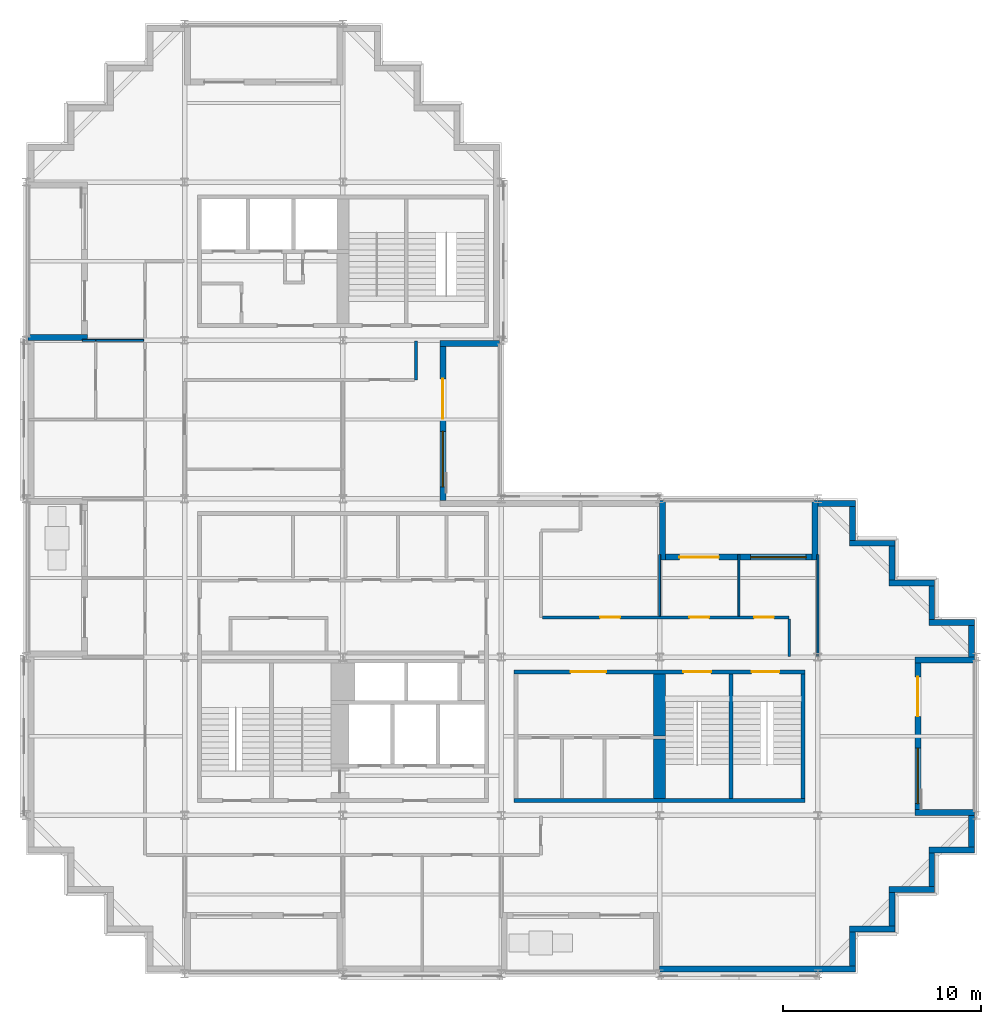
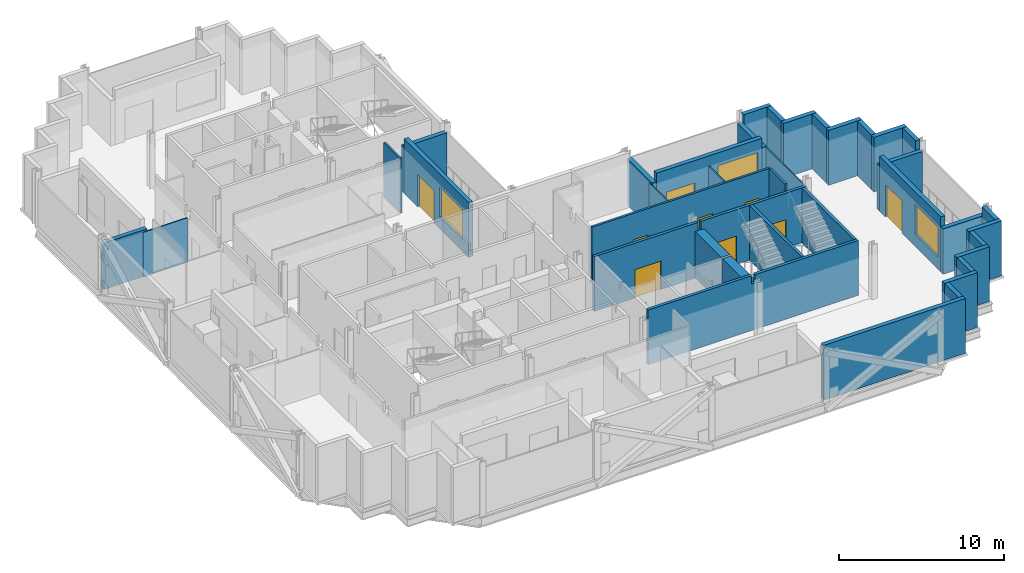
# One storey, part 7 of 12: 39 walls, 9 doors, 3 windows, 12 openings.
"""IFC4 building model written with IfcOpenShell, lengths in metres."""

from ifc_helpers import new_model, si_unit, direction, frame, frame_2d, origin, place, context, subcontext, project, spatial, polyline, rectangle, outline, extrude, material, layer, layer_set, type_object, element, fill, save


model = new_model("IFC4")

# Units and contexts
model_context = context("Model", 3, precision=1e-05, world=origin(), true_north=direction((0.0, 1.0)))
body_context = subcontext(model_context, "Body", "Model", "MODEL_VIEW")
ifc_project = project(units=[si_unit("LENGTHUNIT", "METRE"), si_unit("AREAUNIT", "SQUARE_METRE"), si_unit("VOLUMEUNIT", "CUBIC_METRE"), si_unit("PLANEANGLEUNIT", "RADIAN"), si_unit("MASSUNIT", "GRAM", prefix="KILO")], contexts=[model_context])

# Site, building, storey
site_placement = place(None, origin())
site = spatial("IfcSite", under=ifc_project, at=site_placement, CompositionType="ELEMENT")
building_placement = place(site_placement, origin())
building = spatial("IfcBuilding", under=site, at=building_placement, Name="Immortelle Media Tower", CompositionType="ELEMENT")
storey_placement = place(building_placement, frame((0.0, 0.0, 149.39990234375)))
storey = spatial("IfcBuildingStorey", under=building, at=storey_placement, Name="L30", CompositionType="ELEMENT", Elevation=149.39990234375)

# Wall
ifc_material_1 = material(Name="Fire-rated gypsum board", Category="gypsum")
ifc_layer_1 = layer(ifc_material_1, 0.012451171875)
ifc_material_2 = material(Name="Steel ASTM A653 SS Gr 50 stud frame with mineral wool", Category="steel")
ifc_layer_2 = layer(ifc_material_2, 0.125)
ifc_layer_3 = layer(ifc_material_1, 0.012451171875)
ifc_layer_set_1 = layer_set([ifc_layer_1, ifc_layer_2, ifc_layer_3], Name="Steel ASTM A653 SS Gr 50 stud frame with mineral wool")
wall_type_1 = type_object("IfcWallType", Name="Corridor wall 150", PredefinedType="PARTITIONING", material=ifc_layer_set_1)
wall_1_placement = place(storey_placement, frame((38.550048828125, 16.030029296875, 0.0), z_axis=(0.0, 0.0, 1.0), x_axis=(0.0, 1.0, 0.0)))
element("IfcWall", 1, at=wall_1_placement, inside=storey, type_object=wall_type_1, Name="Partition L30-009", PredefinedType="PARTITIONING", context=body_context, shape_type="SweptSolid", body=[
    extrude(rectangle(XDim=1.89501953125, YDim=0.14990234375, at=frame_2d((0.947509765625, 0.0))), origin(), (0.0, 0.0, 1.0), 4.050048828125),
])

# Wall, openings, doors
wall_2_placement = place(storey_placement, frame((26.074951171875, 18.0, 0.0), z_axis=(0.0, 0.0, 1.0), x_axis=(1.0, 0.0, 0.0)))
wall_2 = element("IfcWall", 2, at=wall_2_placement, inside=storey, type_object=wall_type_1, Name="Partition L30-011", PredefinedType="PARTITIONING", context=body_context, shape_type="SweptSolid", body=[
    extrude(rectangle(XDim=12.47509765625, YDim=0.14990234375, at=frame_2d((6.237548828125, 0.0))), origin(), (0.0, 0.0, 1.0), 4.050048828125),
])
opening_1_placement = place(wall_2_placement, frame((7.425048828125, 0.0, 0.0)))
opening_1 = element("IfcOpeningElement", 3, at=opening_1_placement, cuts=wall_2, Name="Opening C3-F006", PredefinedType="OPENING", context=body_context, shape_type="SweptSolid", body=[
    extrude(rectangle(XDim=1.0, YDim=2.10009765625, at=frame_2d((0.5, 1.050048828125))), frame((0.0, 0.0849609375, 0.0), z_axis=(0.0, -1.0, 0.0), x_axis=(1.0, 0.0, 0.0)), (0.0, 0.0, 1.0), 0.169921875),
])
opening_2_placement = place(wall_2_placement, frame((10.699951171875, 0.0, 0.0)))
opening_2 = element("IfcOpeningElement", 4, at=opening_2_placement, cuts=wall_2, Name="Opening C3-F007", PredefinedType="OPENING", context=body_context, shape_type="SweptSolid", body=[
    extrude(rectangle(XDim=1.0, YDim=2.10009765625, at=frame_2d((0.5, 1.050048828125))), frame((0.0, 0.0849609375, 0.0), z_axis=(0.0, -1.0, 0.0), x_axis=(1.0, 0.0, 0.0)), (0.0, 0.0, 1.0), 0.169921875),
])
opening_3_placement = place(wall_2_placement, frame((2.925048828125, 0.0, 0.0)))
opening_3 = element("IfcOpeningElement", 5, at=opening_3_placement, cuts=wall_2, Name="Opening C3-F010", PredefinedType="OPENING", context=body_context, shape_type="SweptSolid", body=[
    extrude(rectangle(XDim=1.0, YDim=2.10009765625, at=frame_2d((0.5, 1.050048828125))), frame((0.0, 0.0849609375, 0.0), z_axis=(0.0, -1.0, 0.0), x_axis=(1.0, 0.0, 0.0)), (0.0, 0.0, 1.0), 0.169921875),
])
ifc_material_3 = material(Name="Timber veneered door leaf, galvanised steel frame ASTM A653", Category="steel")
door_type_1 = type_object("IfcDoorType", Name="Room door 1000 x 2100", OperationType="NOTDEFINED", PredefinedType="DOOR", material=ifc_material_3)
door_1_placement = place(opening_1_placement, origin())
door_1 = element("IfcDoor", 6, at=door_1_placement, inside=storey, type_object=door_type_1, Name="Door C3-F006", OperationType="SINGLE_SWING_RIGHT", OverallHeight=2.10009765625, OverallWidth=1.0, PredefinedType="DOOR", context=body_context, shape_type="SweptSolid", body=[
    extrude(rectangle(XDim=1.0, YDim=2.10009765625, at=frame_2d((0.5, 1.050048828125))), frame((0.0, 0.02490234375, 0.0), z_axis=(0.0, -1.0, 0.0), x_axis=(1.0, 0.0, 0.0)), (0.0, 0.0, 1.0), 0.050048828125),
])
fill(opening_1, door_1)
door_2_placement = place(opening_2_placement, origin())
door_2 = element("IfcDoor", 7, at=door_2_placement, inside=storey, type_object=door_type_1, Name="Door C3-F007", OperationType="SINGLE_SWING_LEFT", OverallHeight=2.10009765625, OverallWidth=1.0, PredefinedType="DOOR", context=body_context, shape_type="SweptSolid", body=[
    extrude(rectangle(XDim=1.0, YDim=2.10009765625, at=frame_2d((0.5, 1.050048828125))), frame((0.0, 0.02490234375, 0.0), z_axis=(0.0, -1.0, 0.0), x_axis=(1.0, 0.0, 0.0)), (0.0, 0.0, 1.0), 0.050048828125),
])
fill(opening_2, door_2)
door_3_placement = place(opening_3_placement, origin())
door_3 = element("IfcDoor", 8, at=door_3_placement, inside=storey, type_object=door_type_1, Name="Door C3-F010", OperationType="SINGLE_SWING_RIGHT", OverallHeight=2.10009765625, OverallWidth=1.0, PredefinedType="DOOR", context=body_context, shape_type="SweptSolid", body=[
    extrude(rectangle(XDim=1.0, YDim=2.10009765625, at=frame_2d((0.5, 1.050048828125))), frame((0.0, 0.02490234375, 0.0), z_axis=(0.0, -1.0, 0.0), x_axis=(1.0, 0.0, 0.0)), (0.0, 0.0, 1.0), 0.050048828125),
])
fill(opening_3, door_3)

# Walls
wall_3_placement = place(storey_placement, frame((19.699951171875, 30.0, 0.0), z_axis=(0.0, 0.0, 1.0), x_axis=(0.0, 1.0, 0.0)))
element("IfcWall", 9, at=wall_3_placement, inside=storey, type_object=wall_type_1, Name="Partition L30-027", PredefinedType="PARTITIONING", context=body_context, shape_type="SweptSolid", body=[
    extrude(rectangle(XDim=1.969970703125, YDim=0.14990234375, at=frame_2d((0.98486328125, 0.0))), origin(), (0.0, 0.0, 1.0), 4.050048828125),
])
ifc_material_4 = material(Name="Pale aluminium cladding panel", Category="aluminium")
ifc_layer_4 = layer(ifc_material_4, 0.030029296875)
ifc_layer_5 = layer(ifc_material_2, 0.257568359375)
ifc_material_5 = material(Name="Moisture-resistant gypsum board", Category="gypsum")
ifc_layer_6 = layer(ifc_material_5, 0.012451171875)
ifc_layer_set_2 = layer_set([ifc_layer_4, ifc_layer_5, ifc_layer_6], Name="Steel ASTM A653 SS Gr 50 stud frame with mineral wool")
wall_type_2 = type_object("IfcWallType", Name="Facade wall 300", PredefinedType="SOLIDWALL", material=ifc_layer_set_2)
wall_4_placement = place(storey_placement, frame((32.0, 0.25, 0.0), z_axis=(0.0, 0.0, 1.0), x_axis=(1.0, 0.0, 0.0)))
element("IfcWall", 10, at=wall_4_placement, inside=storey, type_object=wall_type_2, Name="Facade wall L30 S6", PredefinedType="SOLIDWALL", context=body_context, shape_type="SweptSolid", body=[
    extrude(rectangle(XDim=9.89990234375, YDim=0.300048828125, at=frame_2d((4.949951171875, 0.0))), origin(), (0.0, 0.0, 1.0), 4.050048828125),
])
wall_5_placement = place(storey_placement, frame((41.75, 0.39990234375, 0.0), z_axis=(0.0, 0.0, 1.0), x_axis=(0.0, 1.0, 0.0)))
element("IfcWall", 11, at=wall_5_placement, inside=storey, type_object=wall_type_2, Name="Facade wall L30 E7", PredefinedType="SOLIDWALL", context=body_context, shape_type="SweptSolid", body=[
    extrude(rectangle(XDim=1.7001953125, YDim=0.300048828125, at=frame_2d((0.85009765625, 0.0))), origin(), (0.0, 0.0, 1.0), 4.050048828125),
])
wall_6_placement = place(storey_placement, frame((41.60009765625, 2.25, 0.0), z_axis=(0.0, 0.0, 1.0), x_axis=(1.0, 0.0, 0.0)))
element("IfcWall", 12, at=wall_6_placement, inside=storey, type_object=wall_type_2, Name="Facade wall L30 S8", PredefinedType="SOLIDWALL", context=body_context, shape_type="SweptSolid", body=[
    extrude(rectangle(XDim=2.2998046875, YDim=0.300048828125, at=frame_2d((1.14990234375, 0.0))), origin(), (0.0, 0.0, 1.0), 4.050048828125),
])
wall_7_placement = place(storey_placement, frame((43.75, 2.39990234375, 0.0), z_axis=(0.0, 0.0, 1.0), x_axis=(0.0, 1.0, 0.0)))
element("IfcWall", 13, at=wall_7_placement, inside=storey, type_object=wall_type_2, Name="Facade wall L30 E9", PredefinedType="SOLIDWALL", context=body_context, shape_type="SweptSolid", body=[
    extrude(rectangle(XDim=1.7001953125, YDim=0.300048828125, at=frame_2d((0.85009765625, 0.0))), origin(), (0.0, 0.0, 1.0), 4.050048828125),
])
wall_8_placement = place(storey_placement, frame((43.60009765625, 4.25, 0.0), z_axis=(0.0, 0.0, 1.0), x_axis=(1.0, 0.0, 0.0)))
element("IfcWall", 14, at=wall_8_placement, inside=storey, type_object=wall_type_2, Name="Facade wall L30 S10", PredefinedType="SOLIDWALL", context=body_context, shape_type="SweptSolid", body=[
    extrude(rectangle(XDim=2.2998046875, YDim=0.300048828125, at=frame_2d((1.14990234375, 0.0))), origin(), (0.0, 0.0, 1.0), 4.050048828125),
])
wall_9_placement = place(storey_placement, frame((45.75, 4.39990234375, 0.0), z_axis=(0.0, 0.0, 1.0), x_axis=(0.0, 1.0, 0.0)))
element("IfcWall", 15, at=wall_9_placement, inside=storey, type_object=wall_type_2, Name="Facade wall L30 E11", PredefinedType="SOLIDWALL", context=body_context, shape_type="SweptSolid", body=[
    extrude(rectangle(XDim=1.7001953125, YDim=0.300048828125, at=frame_2d((0.85009765625, 0.0))), origin(), (0.0, 0.0, 1.0), 4.050048828125),
])
wall_10_placement = place(storey_placement, frame((45.60009765625, 6.25, 0.0), z_axis=(0.0, 0.0, 1.0), x_axis=(1.0, 0.0, 0.0)))
element("IfcWall", 16, at=wall_10_placement, inside=storey, type_object=wall_type_2, Name="Facade wall L30 S12", PredefinedType="SOLIDWALL", context=body_context, shape_type="SweptSolid", body=[
    extrude(rectangle(XDim=2.2998046875, YDim=0.300048828125, at=frame_2d((1.14990234375, 0.0))), origin(), (0.0, 0.0, 1.0), 4.050048828125),
])
wall_11_placement = place(storey_placement, frame((47.75, 6.39990234375, 0.0), z_axis=(0.0, 0.0, 1.0), x_axis=(0.0, 1.0, 0.0)))
element("IfcWall", 17, at=wall_11_placement, inside=storey, type_object=wall_type_2, Name="Facade wall L30 E13", PredefinedType="SOLIDWALL", context=body_context, shape_type="SweptSolid", body=[
    extrude(rectangle(XDim=1.60009765625, YDim=0.300048828125, at=frame_2d((0.800048828125, 0.0))), origin(), (0.0, 0.0, 1.0), 4.050048828125),
])

# Wall, openings, door, window
wall_12_placement = place(storey_placement, frame((45.050048828125, 8.300048828125, 0.0), z_axis=(0.0, 0.0, 1.0), x_axis=(0.0, 1.0, 0.0)))
wall_12 = element("IfcWall", 18, at=wall_12_placement, inside=storey, type_object=wall_type_2, Name="Loggia wall L30 E13", PredefinedType="SOLIDWALL", context=body_context, shape_type="SweptSolid", body=[
    extrude(rectangle(XDim=7.39990234375, YDim=0.300048828125, at=frame_2d((3.699951171875, 0.0))), origin(), (0.0, 0.0, 1.0), 4.050048828125),
])
opening_4_placement = place(wall_12_placement, frame((0.300048828125, 0.0, 0.89990234375)))
opening_4 = element("IfcOpeningElement", 19, at=opening_4_placement, cuts=wall_12, Name="Opening W1", PredefinedType="OPENING", context=body_context, shape_type="SweptSolid", body=[
    extrude(rectangle(XDim=2.800048828125, YDim=2.199951171875, at=frame_2d((1.39990234375, 1.10009765625))), frame((0.0, 0.159912109375, 0.0), z_axis=(0.0, -1.0, 0.0), x_axis=(1.0, 0.0, 0.0)), (0.0, 0.0, 1.0), 0.320068359375),
])
opening_5_placement = place(wall_12_placement, frame((4.699951171875, 0.0, 0.0)))
opening_5 = element("IfcOpeningElement", 20, at=opening_5_placement, cuts=wall_12, Name="Opening C3-E003", PredefinedType="OPENING", context=body_context, shape_type="SweptSolid", body=[
    extrude(rectangle(XDim=2.0, YDim=2.39990234375, at=frame_2d((1.0, 1.199951171875))), frame((0.0, 0.159912109375, 0.0), z_axis=(0.0, -1.0, 0.0), x_axis=(1.0, 0.0, 0.0)), (0.0, 0.0, 1.0), 0.320068359375),
])
ifc_material_6 = material(Name="Aluminium frame, glazed leaves", Category="aluminium")
door_type_2 = type_object("IfcDoorType", Name="Loggia door 2000 x 2400", OperationType="DOUBLE_DOOR_SINGLE_SWING", PredefinedType="DOOR", material=ifc_material_6)
door_4_placement = place(opening_5_placement, origin())
door_4 = element("IfcDoor", 21, at=door_4_placement, inside=storey, type_object=door_type_2, Name="Door C3-E003", OperationType="DOUBLE_DOOR_SINGLE_SWING", OverallHeight=2.39990234375, OverallWidth=2.0, PredefinedType="DOOR", context=body_context, shape_type="SweptSolid", body=[
    extrude(rectangle(XDim=2.0, YDim=2.39990234375, at=frame_2d((1.0, 1.199951171875))), frame((0.0, 0.02490234375, 0.0), z_axis=(0.0, -1.0, 0.0), x_axis=(1.0, 0.0, 0.0)), (0.0, 0.0, 1.0), 0.050048828125),
])
fill(opening_5, door_4)
ifc_material_7 = material(Name="Aluminium frame", Category="aluminium")
window_type = type_object("IfcWindowType", Name="Window 2800 x 2200", PartitioningType="SINGLE_PANEL", PredefinedType="WINDOW", material=ifc_material_7)
window_1_placement = place(opening_4_placement, origin())
window_1 = element("IfcWindow", 22, at=window_1_placement, inside=storey, type_object=window_type, Name="Window L30 L30-R13-B0", OverallHeight=2.199951171875, OverallWidth=2.800048828125, PartitioningType="SINGLE_PANEL", PredefinedType="WINDOW", context=body_context, shape_type="SweptSolid", body=[
    extrude(rectangle(XDim=2.800048828125, YDim=2.199951171875, at=frame_2d((1.39990234375, 1.10009765625))), frame((0.0, 0.030029296875, 0.0), z_axis=(0.0, -1.0, 0.0), x_axis=(1.0, 0.0, 0.0)), (0.0, 0.0, 1.0), 0.06005859375),
])
fill(opening_4, window_1)

# Walls
for number, where, z_axis, x_axis, name in (
    (23, (47.89990234375, 8.14990234375, 0.0), (0.0, 0.0, 1.0), (-1.0, 0.0, 0.0), "Loggia cheek wall L30 E"),
    (24, (47.89990234375, 15.85009765625, 0.0), (0.0, 0.0, 1.0), (-1.0, 0.0, 0.0), "Loggia cheek wall L30 E"),
):
    element("IfcWall", number, at=place(storey_placement, frame(where, z_axis=z_axis, x_axis=x_axis)), inside=storey, type_object=wall_type_2, Name=name, PredefinedType="SOLIDWALL", context=body_context, shape_type="SweptSolid", body=[
        extrude(rectangle(XDim=3.0, YDim=0.300048828125, at=frame_2d((1.5, 0.0))), origin(), (0.0, 0.0, 1.0), 3.35302734375),
    ])
wall_13_placement = place(storey_placement, frame((47.75, 16.0, 0.0), z_axis=(0.0, 0.0, 1.0), x_axis=(0.0, 1.0, 0.0)))
element("IfcWall", 25, at=wall_13_placement, inside=storey, type_object=wall_type_2, Name="Facade wall L30 E13", PredefinedType="SOLIDWALL", context=body_context, shape_type="SweptSolid", body=[
    extrude(rectangle(XDim=1.60009765625, YDim=0.300048828125, at=frame_2d((0.800048828125, 0.0))), origin(), (0.0, 0.0, 1.0), 4.050048828125),
])
wall_14_placement = place(storey_placement, frame((47.89990234375, 17.75, 0.0), z_axis=(0.0, 0.0, 1.0), x_axis=(-1.0, 0.0, 0.0)))
element("IfcWall", 26, at=wall_14_placement, inside=storey, type_object=wall_type_2, Name="Facade wall L30 N14", PredefinedType="SOLIDWALL", context=body_context, shape_type="SweptSolid", body=[
    extrude(rectangle(XDim=2.2998046875, YDim=0.300048828125, at=frame_2d((1.14990234375, 0.0))), origin(), (0.0, 0.0, 1.0), 4.050048828125),
])
wall_15_placement = place(storey_placement, frame((45.75, 17.89990234375, 0.0), z_axis=(0.0, 0.0, 1.0), x_axis=(0.0, 1.0, 0.0)))
element("IfcWall", 27, at=wall_15_placement, inside=storey, type_object=wall_type_2, Name="Facade wall L30 E15", PredefinedType="SOLIDWALL", context=body_context, shape_type="SweptSolid", body=[
    extrude(rectangle(XDim=1.7001953125, YDim=0.300048828125, at=frame_2d((0.85009765625, 0.0))), origin(), (0.0, 0.0, 1.0), 4.050048828125),
])
wall_16_placement = place(storey_placement, frame((45.89990234375, 19.75, 0.0), z_axis=(0.0, 0.0, 1.0), x_axis=(-1.0, 0.0, 0.0)))
element("IfcWall", 28, at=wall_16_placement, inside=storey, type_object=wall_type_2, Name="Facade wall L30 N16", PredefinedType="SOLIDWALL", context=body_context, shape_type="SweptSolid", body=[
    extrude(rectangle(XDim=2.2998046875, YDim=0.300048828125, at=frame_2d((1.14990234375, 0.0))), origin(), (0.0, 0.0, 1.0), 4.050048828125),
])
wall_17_placement = place(storey_placement, frame((43.75, 19.89990234375, 0.0), z_axis=(0.0, 0.0, 1.0), x_axis=(0.0, 1.0, 0.0)))
element("IfcWall", 29, at=wall_17_placement, inside=storey, type_object=wall_type_2, Name="Facade wall L30 E17", PredefinedType="SOLIDWALL", context=body_context, shape_type="SweptSolid", body=[
    extrude(rectangle(XDim=1.7001953125, YDim=0.300048828125, at=frame_2d((0.85009765625, 0.0))), origin(), (0.0, 0.0, 1.0), 4.050048828125),
])
wall_18_placement = place(storey_placement, frame((43.89990234375, 21.75, 0.0), z_axis=(0.0, 0.0, 1.0), x_axis=(-1.0, 0.0, 0.0)))
element("IfcWall", 30, at=wall_18_placement, inside=storey, type_object=wall_type_2, Name="Facade wall L30 N18", PredefinedType="SOLIDWALL", context=body_context, shape_type="SweptSolid", body=[
    extrude(rectangle(XDim=2.2998046875, YDim=0.300048828125, at=frame_2d((1.14990234375, 0.0))), origin(), (0.0, 0.0, 1.0), 4.050048828125),
])
wall_19_placement = place(storey_placement, frame((41.75, 21.89990234375, 0.0), z_axis=(0.0, 0.0, 1.0), x_axis=(0.0, 1.0, 0.0)))
element("IfcWall", 31, at=wall_19_placement, inside=storey, type_object=wall_type_2, Name="Facade wall L30 E19", PredefinedType="SOLIDWALL", context=body_context, shape_type="SweptSolid", body=[
    extrude(rectangle(XDim=1.7001953125, YDim=0.300048828125, at=frame_2d((0.85009765625, 0.0))), origin(), (0.0, 0.0, 1.0), 4.050048828125),
])
wall_20_placement = place(storey_placement, frame((41.89990234375, 23.75, 0.0), z_axis=(0.0, 0.0, 1.0), x_axis=(-1.0, 0.0, 0.0)))
element("IfcWall", 32, at=wall_20_placement, inside=storey, type_object=wall_type_2, Name="Facade wall L30 N20", PredefinedType="SOLIDWALL", context=body_context, shape_type="SweptSolid", body=[
    extrude(rectangle(XDim=1.89990234375, YDim=0.300048828125, at=frame_2d((0.949951171875, 0.0))), origin(), (0.0, 0.0, 1.0), 4.050048828125),
])

# Wall, openings, door, window
wall_21_placement = place(storey_placement, frame((39.699951171875, 21.050048828125, 0.0), z_axis=(0.0, 0.0, 1.0), x_axis=(-1.0, 0.0, 0.0)))
wall_21 = element("IfcWall", 33, at=wall_21_placement, inside=storey, type_object=wall_type_2, Name="Loggia wall L30 N20", PredefinedType="SOLIDWALL", context=body_context, shape_type="SweptSolid", body=[
    extrude(rectangle(XDim=7.39990234375, YDim=0.300048828125, at=frame_2d((3.699951171875, 0.0))), origin(), (0.0, 0.0, 1.0), 4.050048828125),
])
opening_6_placement = place(wall_21_placement, frame((0.300048828125, 0.0, 0.89990234375)))
opening_6 = element("IfcOpeningElement", 34, at=opening_6_placement, cuts=wall_21, Name="Opening W1", PredefinedType="OPENING", context=body_context, shape_type="SweptSolid", body=[
    extrude(rectangle(XDim=2.800048828125, YDim=2.199951171875, at=frame_2d((1.39990234375, 1.10009765625))), frame((0.0, 0.159912109375, 0.0), z_axis=(0.0, -1.0, 0.0), x_axis=(1.0, 0.0, 0.0)), (0.0, 0.0, 1.0), 0.320068359375),
])
opening_7_placement = place(wall_21_placement, frame((4.699951171875, 0.0, 0.0)))
opening_7 = element("IfcOpeningElement", 35, at=opening_7_placement, cuts=wall_21, Name="Opening C3-E004", PredefinedType="OPENING", context=body_context, shape_type="SweptSolid", body=[
    extrude(rectangle(XDim=2.0, YDim=2.39990234375, at=frame_2d((1.0, 1.199951171875))), frame((0.0, 0.159912109375, 0.0), z_axis=(0.0, -1.0, 0.0), x_axis=(1.0, 0.0, 0.0)), (0.0, 0.0, 1.0), 0.320068359375),
])
door_5_placement = place(opening_7_placement, origin())
door_5 = element("IfcDoor", 36, at=door_5_placement, inside=storey, type_object=door_type_2, Name="Door C3-E004", OperationType="DOUBLE_DOOR_SINGLE_SWING", OverallHeight=2.39990234375, OverallWidth=2.0, PredefinedType="DOOR", context=body_context, shape_type="SweptSolid", body=[
    extrude(rectangle(XDim=2.0, YDim=2.39990234375, at=frame_2d((1.0, 1.199951171875))), frame((0.0, 0.02490234375, 0.0), z_axis=(0.0, -1.0, 0.0), x_axis=(1.0, 0.0, 0.0)), (0.0, 0.0, 1.0), 0.050048828125),
])
fill(opening_7, door_5)
window_2_placement = place(opening_6_placement, origin())
window_2 = element("IfcWindow", 37, at=window_2_placement, inside=storey, type_object=window_type, Name="Window L30 L30-R20-B0", OverallHeight=2.199951171875, OverallWidth=2.800048828125, PartitioningType="SINGLE_PANEL", PredefinedType="WINDOW", context=body_context, shape_type="SweptSolid", body=[
    extrude(rectangle(XDim=2.800048828125, YDim=2.199951171875, at=frame_2d((1.39990234375, 1.10009765625))), frame((0.0, 0.030029296875, 0.0), z_axis=(0.0, -1.0, 0.0), x_axis=(1.0, 0.0, 0.0)), (0.0, 0.0, 1.0), 0.06005859375),
])
fill(opening_6, window_2)

# Walls
wall_22_placement = place(storey_placement, frame((39.85009765625, 23.89990234375, 0.0), z_axis=(0.0, 0.0, 1.0), x_axis=(0.0, -1.0, 0.0)))
element("IfcWall", 38, at=wall_22_placement, inside=storey, type_object=wall_type_2, Name="Loggia cheek wall L30 N", PredefinedType="SOLIDWALL", context=body_context, shape_type="SweptSolid", body=[
    extrude(rectangle(XDim=3.0, YDim=0.300048828125, at=frame_2d((1.5, 0.0))), origin(), (0.0, 0.0, 1.0), 3.35302734375),
])
wall_23_placement = place(storey_placement, frame((32.14990234375, 23.89990234375, 0.0), z_axis=(0.0, 0.0, 1.0), x_axis=(0.0, -1.0, 0.0)))
element("IfcWall", 39, at=wall_23_placement, inside=storey, type_object=wall_type_2, Name="Loggia cheek wall L30 N", PredefinedType="SOLIDWALL", context=body_context, shape_type="SweptSolid", body=[
    extrude(rectangle(XDim=3.0, YDim=0.300048828125, at=frame_2d((1.5, 0.0))), origin(), (0.0, 0.0, 1.0), 3.43701171875),
])

# Wall, openings, door, window
wall_24_placement = place(storey_placement, frame((21.050048828125, 23.89990234375, 0.0), z_axis=(0.0, 0.0, 1.0), x_axis=(0.0, 1.0, 0.0)))
wall_24 = element("IfcWall", 40, at=wall_24_placement, inside=storey, type_object=wall_type_2, Name="Loggia wall L30 E21", PredefinedType="SOLIDWALL", context=body_context, shape_type="SweptSolid", body=[
    extrude(rectangle(XDim=7.800048828125, YDim=0.300048828125, at=frame_2d((3.89990234375, 0.0))), origin(), (0.0, 0.0, 1.0), 4.050048828125),
])
opening_8_placement = place(wall_24_placement, frame((0.699951171875, 0.0, 0.89990234375)))
opening_8 = element("IfcOpeningElement", 41, at=opening_8_placement, cuts=wall_24, Name="Opening W1", PredefinedType="OPENING", context=body_context, shape_type="SweptSolid", body=[
    extrude(rectangle(XDim=2.800048828125, YDim=2.199951171875, at=frame_2d((1.39990234375, 1.10009765625))), frame((0.0, 0.159912109375, 0.0), z_axis=(0.0, -1.0, 0.0), x_axis=(1.0, 0.0, 0.0)), (0.0, 0.0, 1.0), 0.320068359375),
])
opening_9_placement = place(wall_24_placement, frame((4.14990234375, 0.0, 0.0)))
opening_9 = element("IfcOpeningElement", 42, at=opening_9_placement, cuts=wall_24, Name="Opening C3-E005", PredefinedType="OPENING", context=body_context, shape_type="SweptSolid", body=[
    extrude(rectangle(XDim=2.0, YDim=2.39990234375, at=frame_2d((1.0, 1.199951171875))), frame((0.0, 0.159912109375, 0.0), z_axis=(0.0, -1.0, 0.0), x_axis=(1.0, 0.0, 0.0)), (0.0, 0.0, 1.0), 0.320068359375),
])
door_6_placement = place(opening_9_placement, origin())
door_6 = element("IfcDoor", 43, at=door_6_placement, inside=storey, type_object=door_type_2, Name="Door C3-E005", OperationType="DOUBLE_DOOR_SINGLE_SWING", OverallHeight=2.39990234375, OverallWidth=2.0, PredefinedType="DOOR", context=body_context, shape_type="SweptSolid", body=[
    extrude(rectangle(XDim=2.0, YDim=2.39990234375, at=frame_2d((1.0, 1.199951171875))), frame((0.0, 0.02490234375, 0.0), z_axis=(0.0, -1.0, 0.0), x_axis=(1.0, 0.0, 0.0)), (0.0, 0.0, 1.0), 0.050048828125),
])
fill(opening_9, door_6)
window_3_placement = place(opening_8_placement, origin())
window_3 = element("IfcWindow", 44, at=window_3_placement, inside=storey, type_object=window_type, Name="Window L30 L30-R21-B0", OverallHeight=2.199951171875, OverallWidth=2.800048828125, PartitioningType="SINGLE_PANEL", PredefinedType="WINDOW", context=body_context, shape_type="SweptSolid", body=[
    extrude(rectangle(XDim=2.800048828125, YDim=2.199951171875, at=frame_2d((1.39990234375, 1.10009765625))), frame((0.0, 0.030029296875, 0.0), z_axis=(0.0, -1.0, 0.0), x_axis=(1.0, 0.0, 0.0)), (0.0, 0.0, 1.0), 0.06005859375),
])
fill(opening_8, window_3)

# Walls
for number, where, z_axis, x_axis, name in (
    (45, (23.89990234375, 31.85009765625, 0.0), (0.0, 0.0, 1.0), (-1.0, 0.0, 0.0), "Loggia cheek wall L30 E"),
    (46, (0.10009765625, 32.14990234375, 0.0), (0.0, 0.0, 1.0), (1.0, 0.0, 0.0), "Loggia cheek wall L30 W"),
):
    element("IfcWall", number, at=place(storey_placement, frame(where, z_axis=z_axis, x_axis=x_axis)), inside=storey, type_object=wall_type_2, Name=name, PredefinedType="SOLIDWALL", context=body_context, shape_type="SweptSolid", body=[
        extrude(rectangle(XDim=3.0, YDim=0.300048828125, at=frame_2d((1.5, 0.0))), origin(), (0.0, 0.0, 1.0), 3.43701171875),
    ])
ifc_material_8 = material(Name="Gypsum board", Category="gypsum")
ifc_layer_7 = layer(ifc_material_8, 0.012451171875)
ifc_layer_8 = layer(ifc_material_2, 0.074951171875)
ifc_layer_9 = layer(ifc_material_8, 0.012451171875)
ifc_layer_set_3 = layer_set([ifc_layer_7, ifc_layer_8, ifc_layer_9], Name="Steel ASTM A653 SS Gr 50 stud frame with mineral wool")
wall_type_3 = type_object("IfcWallType", Name="Partition 100", PredefinedType="PARTITIONING", material=ifc_layer_set_3)
wall_25_placement = place(storey_placement, frame((40.0, 16.030029296875, 0.0), z_axis=(0.0, 0.0, 1.0), x_axis=(0.0, 1.0, 0.0)))
element("IfcWall", 47, at=wall_25_placement, inside=storey, type_object=wall_type_3, Name="Partition L30-010", PredefinedType="PARTITIONING", context=body_context, shape_type="SweptSolid", body=[
    extrude(rectangle(XDim=5.139892578125, YDim=0.10009765625, at=frame_2d((2.56982421875, 0.0))), origin(), (0.0, 0.0, 1.0), 3.2880859375),
])
for number, where, z_axis, x_axis, name in (
    (48, (32.0, 18.074951171875, 0.0), (0.0, 0.0, 1.0), (0.0, 1.0, 0.0), "Partition L30-013"),
    (49, (36.0, 18.074951171875, 0.0), (0.0, 0.0, 1.0), (0.0, 1.0, 0.0), "Partition L30-014"),
):
    element("IfcWall", number, at=place(storey_placement, frame(where, z_axis=z_axis, x_axis=x_axis)), inside=storey, type_object=wall_type_3, Name=name, PredefinedType="PARTITIONING", context=body_context, shape_type="SweptSolid", body=[
        extrude(rectangle(XDim=3.094970703125, YDim=0.10009765625, at=frame_2d((1.54736328125, 0.0))), origin(), (0.0, 0.0, 1.0), 3.2880859375),
    ])
wall_26_placement = place(storey_placement, frame((2.830078125, 32.0, 0.0), z_axis=(0.0, 0.0, 1.0), x_axis=(1.0, 0.0, 0.0)))
element("IfcWall", 50, at=wall_26_placement, inside=storey, type_object=wall_type_3, Name="Partition L30-028", PredefinedType="PARTITIONING", context=body_context, shape_type="SweptSolid", body=[
    extrude(rectangle(XDim=0.669921875, YDim=0.10009765625, at=frame_2d((0.3349609375, 0.0))), origin(), (0.0, 0.0, 1.0), 3.2880859375),
])
wall_27_placement = place(storey_placement, frame((3.5, 32.0, 0.0), z_axis=(0.0, 0.0, 1.0), x_axis=(1.0, 0.0, 0.0)))
element("IfcWall", 51, at=wall_27_placement, inside=storey, type_object=wall_type_3, Name="Partition L30-029", PredefinedType="PARTITIONING", context=body_context, shape_type="SweptSolid", body=[
    extrude(rectangle(XDim=2.425048828125, YDim=0.10009765625, at=frame_2d((1.21240234375, 0.0))), origin(), (0.0, 0.0, 1.0), 3.2880859375),
])
ifc_material_9 = material(Name="Concrete C60", Category="concrete")
ifc_layer_10 = layer(ifc_material_9, 0.199951171875)
ifc_layer_set_4 = layer_set([ifc_layer_10], Name="Concrete C60")
wall_type_4 = type_object("IfcWallType", Name="Stair shaft wall 200", PredefinedType="PARTITIONING", material=ifc_layer_set_4)
wall_28_placement = place(storey_placement, frame((24.64990234375, 8.75, 0.0), z_axis=(0.0, 0.0, 1.0), x_axis=(1.0, 0.0, 0.0)))
element("IfcWall", 52, at=wall_28_placement, inside=storey, type_object=wall_type_4, Name="Stair shaft wall SE", PredefinedType="PARTITIONING", context=body_context, shape_type="SweptSolid", body=[
    extrude(outline(polyline([(0.0, 0.0), (14.7001953125, 0.0), (14.699951171875, 4.050048828125), (7.468994140625, 4.050048828125), (7.468017578125, 3.442138671875), (7.23193359375, 3.442138671875), (7.23095703125, 4.050048828125), (0.0, 4.050048828125), (0.0, 0.0)])), frame((0.0, 0.10009765625, 0.0), z_axis=(0.0, -1.0, 0.0), x_axis=(1.0, 0.0, 0.0)), (0.0, 0.0, 1.0), 0.199951171875),
])

# Wall, openings, doors
wall_29_placement = place(storey_placement, frame((24.64990234375, 15.25, 0.0), z_axis=(0.0, 0.0, 1.0), x_axis=(1.0, 0.0, 0.0)))
wall_29 = element("IfcWall", 53, at=wall_29_placement, inside=storey, type_object=wall_type_4, Name="Stair shaft wall SE", PredefinedType="PARTITIONING", context=body_context, shape_type="SweptSolid", body=[
    extrude(outline(polyline([(0.0, 0.0), (14.7001953125, 0.0), (14.699951171875, 4.050048828125), (7.468994140625, 4.050048828125), (7.468017578125, 3.442138671875), (7.23193359375, 3.442138671875), (7.23095703125, 4.050048828125), (0.0, 4.050048828125), (0.0, 0.0)])), frame((0.0, 0.10009765625, 0.0), z_axis=(0.0, -1.0, 0.0), x_axis=(1.0, 0.0, 0.0)), (0.0, 0.0, 1.0), 0.199951171875),
])
opening_10_placement = place(wall_29_placement, frame((2.85009765625, 0.0, 0.0)))
opening_10 = element("IfcOpeningElement", 54, at=opening_10_placement, cuts=wall_29, Name="Opening C3-K019", PredefinedType="OPENING", context=body_context, shape_type="SweptSolid", body=[
    extrude(rectangle(XDim=1.800048828125, YDim=2.10009765625, at=frame_2d((0.89990234375, 1.050048828125))), frame((0.0, 0.10986328125, 0.0), z_axis=(0.0, -1.0, 0.0), x_axis=(1.0, 0.0, 0.0)), (0.0, 0.0, 1.0), 0.219970703125),
])
opening_11_placement = place(wall_29_placement, frame((9.949951171875, 0.0, 0.0), z_axis=(0.0, 0.0, 1.0), x_axis=(-1.0, 0.0, 0.0)))
opening_11 = element("IfcOpeningElement", 55, at=opening_11_placement, cuts=wall_29, Name="Opening C3-K021", PredefinedType="OPENING", context=body_context, shape_type="SweptSolid", body=[
    extrude(rectangle(XDim=1.39990234375, YDim=2.10009765625, at=frame_2d((0.699951171875, 1.050048828125))), frame((0.0, 0.10986328125, 0.0), z_axis=(0.0, -1.0, 0.0), x_axis=(1.0, 0.0, 0.0)), (0.0, 0.0, 1.0), 0.219970703125),
])
opening_12_placement = place(wall_29_placement, frame((13.39990234375, 0.0, 0.0), z_axis=(0.0, 0.0, 1.0), x_axis=(-1.0, 0.0, 0.0)))
opening_12 = element("IfcOpeningElement", 56, at=opening_12_placement, cuts=wall_29, Name="Opening C3-K022", PredefinedType="OPENING", context=body_context, shape_type="SweptSolid", body=[
    extrude(rectangle(XDim=1.39990234375, YDim=2.10009765625, at=frame_2d((0.699951171875, 1.050048828125))), frame((0.0, 0.10986328125, 0.0), z_axis=(0.0, -1.0, 0.0), x_axis=(1.0, 0.0, 0.0)), (0.0, 0.0, 1.0), 0.219970703125),
])
ifc_material_10 = material(Name="Galvanised steel door leaf and frame ASTM A653", Category="steel")
door_type_3 = type_object("IfcDoorType", Name="Lift lobby door 1800 x 2100", OperationType="DOUBLE_DOOR_SINGLE_SWING", PredefinedType="NOTDEFINED", material=ifc_material_10)
door_7_placement = place(opening_10_placement, origin())
door_7 = element("IfcDoor", 57, at=door_7_placement, inside=storey, type_object=door_type_3, Name="Lift lobby C3-K019", OperationType="DOUBLE_DOOR_SINGLE_SWING", OverallHeight=2.10009765625, OverallWidth=1.800048828125, PredefinedType="NOTDEFINED", context=body_context, shape_type="SweptSolid", body=[
    extrude(rectangle(XDim=1.800048828125, YDim=2.10009765625, at=frame_2d((0.89990234375, 1.050048828125))), frame((0.0, 0.02490234375, 0.0), z_axis=(0.0, -1.0, 0.0), x_axis=(1.0, 0.0, 0.0)), (0.0, 0.0, 1.0), 0.050048828125),
])
fill(opening_10, door_7)
door_type_4 = type_object("IfcDoorType", Name="Stair door 1400 x 2100", OperationType="DOUBLE_DOOR_SINGLE_SWING", PredefinedType="NOTDEFINED", material=ifc_material_10)
door_8_placement = place(opening_11_placement, origin())
door_8 = element("IfcDoor", 58, at=door_8_placement, inside=storey, type_object=door_type_4, Name="Stair C3-K021", OperationType="DOUBLE_DOOR_SINGLE_SWING", OverallHeight=2.10009765625, OverallWidth=1.39990234375, PredefinedType="NOTDEFINED", context=body_context, shape_type="SweptSolid", body=[
    extrude(rectangle(XDim=1.39990234375, YDim=2.10009765625, at=frame_2d((0.699951171875, 1.050048828125))), frame((0.0, 0.02490234375, 0.0), z_axis=(0.0, -1.0, 0.0), x_axis=(1.0, 0.0, 0.0)), (0.0, 0.0, 1.0), 0.050048828125),
])
fill(opening_11, door_8)
door_9_placement = place(opening_12_placement, origin())
door_9 = element("IfcDoor", 59, at=door_9_placement, inside=storey, type_object=door_type_4, Name="Stair C3-K022", OperationType="DOUBLE_DOOR_SINGLE_SWING", OverallHeight=2.10009765625, OverallWidth=1.39990234375, PredefinedType="NOTDEFINED", context=body_context, shape_type="SweptSolid", body=[
    extrude(rectangle(XDim=1.39990234375, YDim=2.10009765625, at=frame_2d((0.699951171875, 1.050048828125))), frame((0.0, 0.02490234375, 0.0), z_axis=(0.0, -1.0, 0.0), x_axis=(1.0, 0.0, 0.0)), (0.0, 0.0, 1.0), 0.050048828125),
])
fill(opening_12, door_9)

# Walls
for number, where, z_axis, x_axis, name in (
    (60, (35.60009765625, 8.85009765625, 0.0), (0.0, 0.0, 1.0), (0.0, 1.0, 0.0), "Stair shaft wall SE"),
    (61, (39.25, 8.85009765625, 0.0), (0.0, 0.0, 1.0), (0.0, 1.0, 0.0), "Stair shaft wall SE"),
):
    element("IfcWall", number, at=place(storey_placement, frame(where, z_axis=z_axis, x_axis=x_axis)), inside=storey, type_object=wall_type_4, Name=name, PredefinedType="PARTITIONING", context=body_context, shape_type="SweptSolid", body=[
        extrude(rectangle(XDim=6.2998046875, YDim=0.199951171875, at=frame_2d((3.14990234375, 0.0))), origin(), (0.0, 0.0, 1.0), 4.050048828125),
    ])
ifc_layer_11 = layer(ifc_material_9, 0.60009765625)
ifc_layer_set_5 = layer_set([ifc_layer_11], Name="Concrete C60")
wall_type_5 = type_object("IfcWallType", Name="Stair shaft wall 600", PredefinedType="PARTITIONING", material=ifc_layer_set_5)
wall_30_placement = place(storey_placement, frame((32.0, 8.85009765625, 0.0), z_axis=(0.0, 0.0, 1.0), x_axis=(0.0, 1.0, 0.0)))
element("IfcWall", 62, at=wall_30_placement, inside=storey, type_object=wall_type_5, Name="Stair shaft wall SE", PredefinedType="PARTITIONING", context=body_context, shape_type="SweptSolid", body=[
    extrude(rectangle(XDim=3.0, YDim=0.60009765625, at=frame_2d((1.5, 0.0))), origin(), (0.0, 0.0, 1.0), 3.442138671875),
])
wall_31_placement = place(storey_placement, frame((32.0, 12.0, 0.0), z_axis=(0.0, 0.0, 1.0), x_axis=(0.0, 1.0, 0.0)))
element("IfcWall", 63, at=wall_31_placement, inside=storey, type_object=wall_type_5, Name="Stair shaft wall SE", PredefinedType="PARTITIONING", context=body_context, shape_type="SweptSolid", body=[
    extrude(rectangle(XDim=3.14990234375, YDim=0.60009765625, at=frame_2d((1.574951171875, 0.0))), origin(), (0.0, 0.0, 1.0), 3.442138671875),
])

save(model, "model.ifc")
